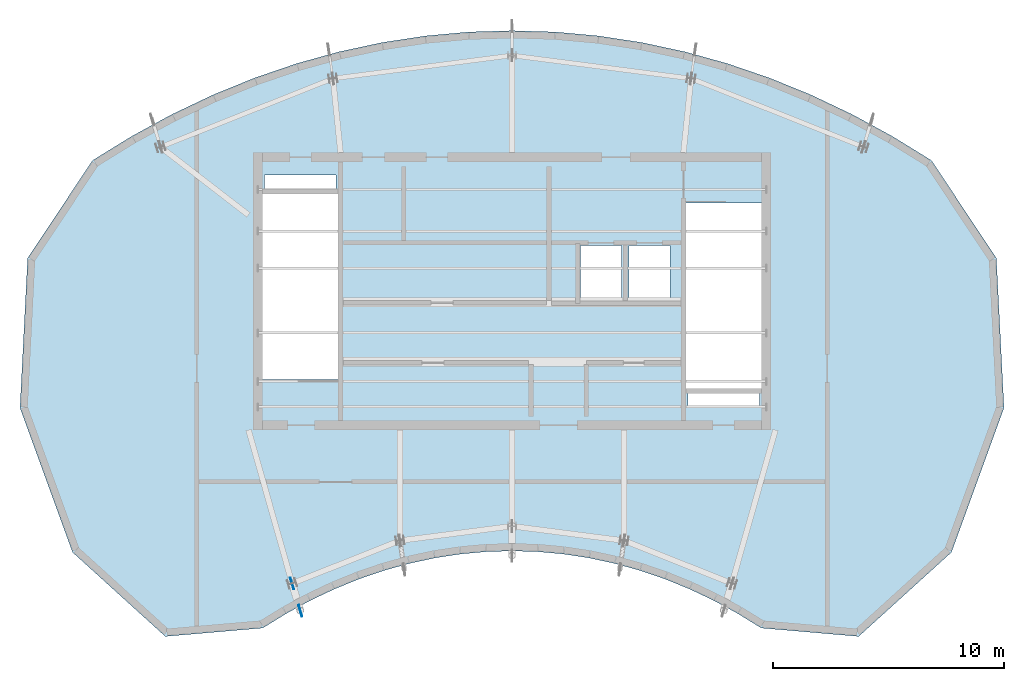
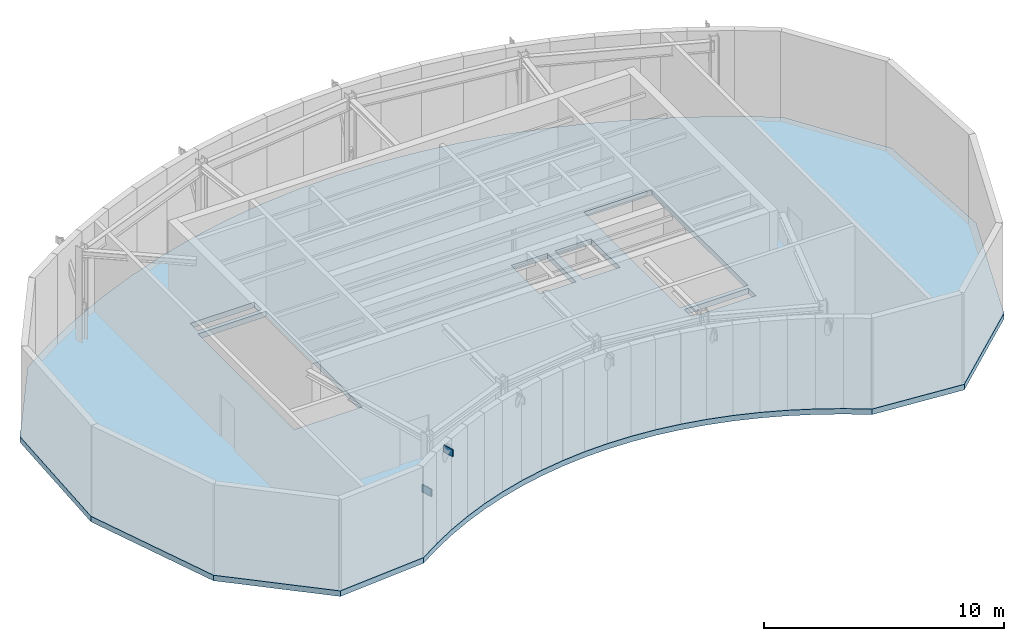
# One storey, part 2 of 6: 2 plates, 1 slab.
"""IFC4 building model written with IfcOpenShell, lengths in metres."""

from ifc_helpers import new_model, si_unit, direction, frame, origin, origin_2d, place, context, subcontext, project, spatial, polyline, rectangle, outline, extrude, source, transform, mapped, material, layer, layer_set, type_object, element, save


model = new_model("IFC4")

# Units and contexts
model_context = context("Model", 3, precision=1e-05, world=origin(), true_north=direction((0.0, 1.0)))
body_context = subcontext(model_context, "Body", "Model", "MODEL_VIEW")
ifc_project = project(units=[si_unit("LENGTHUNIT", "METRE"), si_unit("AREAUNIT", "SQUARE_METRE"), si_unit("VOLUMEUNIT", "CUBIC_METRE"), si_unit("PLANEANGLEUNIT", "RADIAN"), si_unit("MASSUNIT", "GRAM", prefix="KILO")], contexts=[model_context])

# Site, building, storey
site_placement = place(None, origin())
site = spatial("IfcSite", under=ifc_project, at=site_placement, CompositionType="ELEMENT")
building_placement = place(site_placement, origin())
building = spatial("IfcBuilding", under=site, at=building_placement, Name="Breltana Convention Tower", CompositionType="ELEMENT")
storey_placement = place(building_placement, frame((0.0, 0.0, 323.39990234375)))
storey = spatial("IfcBuildingStorey", under=building, at=storey_placement, Name="L78", CompositionType="ELEMENT", Elevation=323.39990234375)

# Slab
ifc_material_1 = material(Name="Concrete C40/50", Category="concrete")
ifc_layer_1 = layer(ifc_material_1, 0.280029296875, Name="Concrete C40/50")
ifc_layer_set_1 = layer_set([ifc_layer_1], Name="Concrete C40/50")
slab_type = type_object("IfcSlabType", Name="SL-CRN-280", PredefinedType="FLOOR", material=ifc_layer_set_1)
slab_placement = place(storey_placement, frame((0.0, 0.0, -0.27978515625)))
element("IfcSlab", 1, at=slab_placement, inside=storey, type_object=slab_type, Name="L78 Suspended Structural Floor Slab", PredefinedType="FLOOR", context=body_context, shape_type="SweptSolid", body=[
    extrude(outline(polyline([(66.148681640625, 71.861572265625), (64.44189453125, 72.913330078125), (62.701416015625, 73.8603515625), (60.9306640625, 74.70068359375), (59.13330078125, 75.432373046875), (57.31298828125, 76.05419921875), (55.473388671875, 76.564697265625), (53.61865234375, 76.962646484375), (51.752197265625, 77.247802734375), (49.8779296875, 77.4189453125), (48.0, 77.47607421875), (46.1220703125, 77.4189453125), (44.247802734375, 77.247802734375), (42.38134765625, 76.962646484375), (40.526611328125, 76.564697265625), (38.68701171875, 76.05419921875), (36.86669921875, 75.432373046875), (35.0693359375, 74.70068359375), (33.298583984375, 73.8603515625), (31.55810546875, 72.913330078125), (29.851318359375, 71.861572265625), (27.041748046875, 67.63330078125), (26.711669921875, 61.156005859375), (28.9873046875, 54.9033203125), (32.999755859375, 51.263916015625), (37.216064453125, 51.627685546875), (38.230224609375, 52.2529296875), (39.264404296875, 52.815673828125), (40.316650390625, 53.31494140625), (41.384521484375, 53.749755859375), (42.46630859375, 54.119140625), (43.55908203125, 54.42236328125), (44.661376953125, 54.658935546875), (45.7705078125, 54.828369140625), (46.884033203125, 54.93017578125), (48.0, 54.964111328125), (49.115966796875, 54.93017578125), (50.2294921875, 54.828369140625), (51.338623046875, 54.658935546875), (52.44091796875, 54.42236328125), (53.53369140625, 54.119140625), (54.615478515625, 53.749755859375), (55.683349609375, 53.31494140625), (56.735595703125, 52.815673828125), (57.769775390625, 52.2529296875), (58.783935546875, 51.627685546875), (63.000244140625, 51.263916015625), (67.0126953125, 54.9033203125), (69.288330078125, 61.156005859375), (68.958251953125, 67.63330078125), (66.148681640625, 71.861572265625)]), holes=[polyline([(37.199951171875, 62.385009765625), (40.469970703125, 62.385009765625), (40.469970703125, 70.39990234375), (37.199951171875, 70.39990234375), (37.199951171875, 62.385009765625)]), polyline([(55.530029296875, 62.0), (58.800048828125, 62.0), (58.800048828125, 70.014892578125), (55.530029296875, 70.014892578125), (55.530029296875, 62.0)]), polyline([(50.969970703125, 65.800048828125), (52.72998046875, 65.800048828125), (52.72998046875, 68.179931640625), (50.969970703125, 68.179931640625), (50.969970703125, 65.800048828125)]), polyline([(53.070068359375, 65.800048828125), (54.830078125, 65.800048828125), (54.830078125, 68.179931640625), (53.070068359375, 68.179931640625), (53.070068359375, 65.800048828125)]), polyline([(37.300048828125, 70.60009765625), (40.3798828125, 70.60009765625), (40.3798828125, 71.219970703125), (37.300048828125, 71.219970703125), (37.300048828125, 70.60009765625)]), polyline([(55.6201171875, 61.179931640625), (58.699951171875, 61.179931640625), (58.699951171875, 61.800048828125), (55.6201171875, 61.800048828125), (55.6201171875, 61.179931640625)])]), origin(), (0.0, 0.0, 1.0), 0.27978515625),
])

# Plates
ifc_material_2 = material(Name="Steel S355", Category="steel")
ifc_layer_2 = layer(ifc_material_2, 0.0400390625, Name="Steel S355")
ifc_layer_set_2 = layer_set([ifc_layer_2], Name="Steel S355")
plate_type = type_object("IfcPlateType", Name="PL-GUSSET-40", PredefinedType="USERDEFINED", material=ifc_layer_set_2)
shared_shape = source(origin(), body_context, "Body", "SweptSolid", [
    extrude(rectangle(XDim=0.52001953125, YDim=0.0400390625, at=origin_2d()), origin(), (0.0, 0.0, 1.0), 0.360107421875),
])
for number, where, z_axis, x_axis, name in (
    (2, (38.485107421875, 53.5576171875, 1.6201171875), (0.0, 0.0, 1.0), (0.288697611798, -0.957420330337, 0.0), "L78 Structural Brace Node Gusset Plate 001"),
    (3, (38.8408203125, 52.377197265625, 4.22998046875), (0.0, 0.0, 1.0), (0.288697611798, -0.957420330337, 0.0), "L78 Structural Brace Node Gusset Plate 002"),
):
    element("IfcPlate", number, at=place(storey_placement, frame(where, z_axis=z_axis, x_axis=x_axis)), inside=storey, type_object=plate_type, Name=name, ObjectType="GUSSET_PLATE", PredefinedType="USERDEFINED", context=body_context, shape_type="MappedRepresentation", body=[
        mapped(shared_shape, transform((0.0, 0.0, 0.0), scale=1.0)),
    ])

save(model, "model.ifc")
